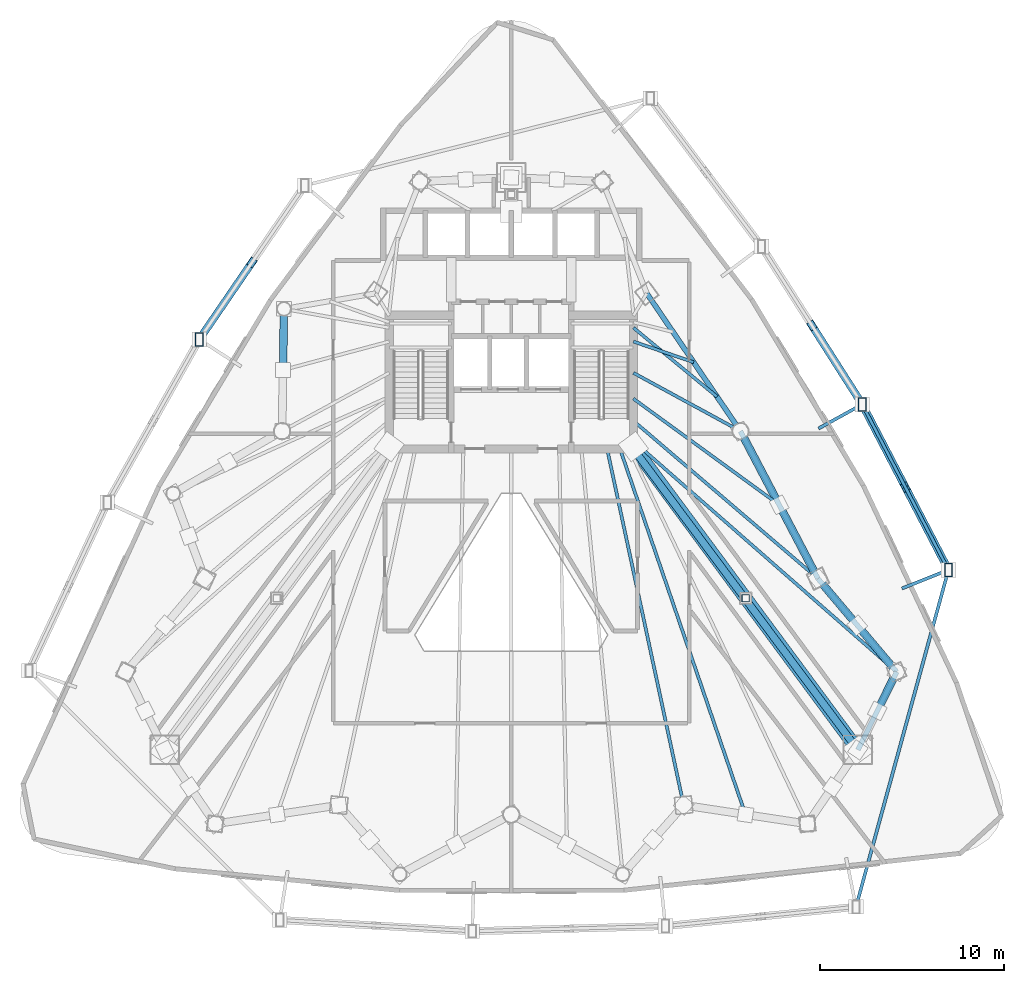
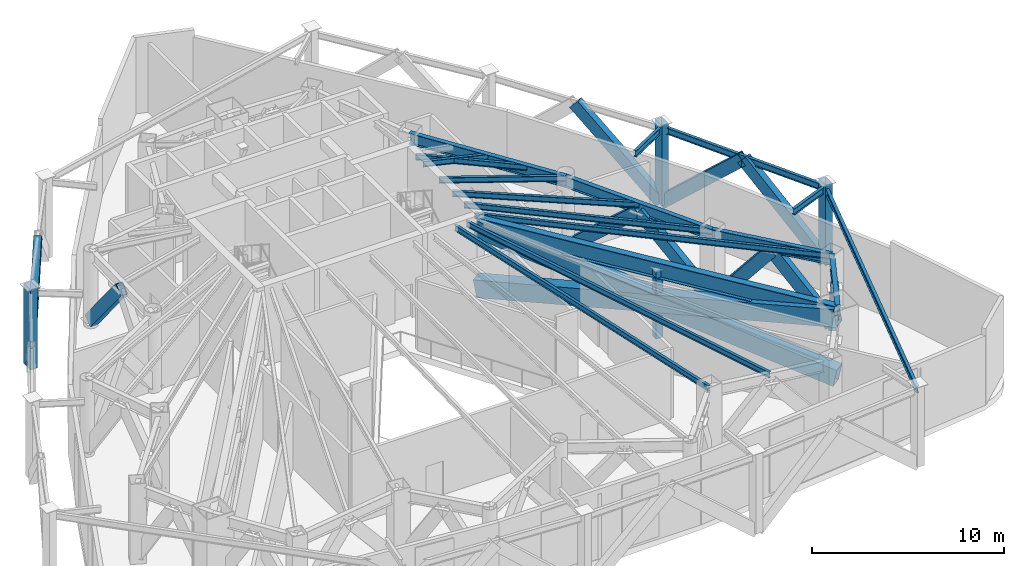
# One storey, part 3 of 10: 17 beams, 16 members.
"""IFC4 building model written with IfcOpenShell, lengths in metres."""

from ifc_helpers import new_model, si_unit, direction, frame, origin, origin_2d, place, context, subcontext, project, spatial, hollow_rectangle, i_section, extrude, material, material_profile, profile_set, type_object, element, save


model = new_model("IFC4")

# Units and contexts
model_context = context("Model", 3, precision=1e-05, world=origin(), true_north=direction((0.0, 1.0)))
body_context = subcontext(model_context, "Body", "Model", "MODEL_VIEW")
ifc_project = project(units=[si_unit("LENGTHUNIT", "METRE"), si_unit("AREAUNIT", "SQUARE_METRE"), si_unit("VOLUMEUNIT", "CUBIC_METRE"), si_unit("PLANEANGLEUNIT", "RADIAN"), si_unit("MASSUNIT", "GRAM", prefix="KILO")], contexts=[model_context])

# Site, building, storey
site_placement = place(None, origin())
site = spatial("IfcSite", under=ifc_project, at=site_placement, CompositionType="ELEMENT")
building_placement = place(site_placement, origin())
building = spatial("IfcBuilding", under=site, at=building_placement, Name="Orvanel Arch Residences", CompositionType="ELEMENT")
storey_placement = place(building_placement, frame((0.0, 0.0, 101.60009765625)))
storey = spatial("IfcBuildingStorey", under=building, at=storey_placement, Name="L28", CompositionType="ELEMENT", Elevation=101.60009765625)

# Beams
ifc_material_1 = material(Name="Structural steel AS/NZS 3678 Grade 350", Category="steel")
ifc_material_profile_1 = material_profile(ifc_material_1, i_section(OverallWidth=0.39990234375, OverallDepth=1.02392578125, WebThickness=0.01611328125, FlangeThickness=0.031982421875, at=origin_2d()), Name="1000WB322")
ifc_profile_set_1 = profile_set([ifc_material_profile_1], Name="Structural steel AS/NZS 3678 Grade 350")
beam_type_1 = type_object("IfcBeamType", Name="BG-1000WB", PredefinedType="BEAM", material=ifc_profile_set_1)
beam_1_placement = place(storey_placement, frame((39.625, 26.675048828125, 4.347900390625), z_axis=(0.597893733742, -0.801575375839, 0.0), x_axis=(0.801575375839, 0.597893733742, 0.0)))
element("IfcBeam", 1, at=beam_1_placement, inside=storey, type_object=beam_type_1, Name="L28 South-East Radial Girder", PredefinedType="BEAM", context=body_context, shape_type="SweptSolid", body=[
    extrude(i_section(OverallWidth=0.39990234375, OverallDepth=1.02392578125, WebThickness=0.01611328125, FlangeThickness=0.031982421875, at=origin_2d()), origin(), (0.0, 0.0, 1.0), 20.36474609375),
])
ifc_material_2 = material(Name="Structural steel AS/NZS 3679.1 Grade 300 (300 MPa)", Category="steel")
ifc_material_profile_2 = material_profile(ifc_material_2, i_section(OverallWidth=0.1708984375, OverallDepth=0.35595703125, WebThickness=0.00732421875, FlangeThickness=0.011474609375, at=origin_2d()), Name="360UB50.7")
ifc_profile_set_2 = profile_set([ifc_material_profile_2], Name="Structural steel AS/NZS 3679.1 Grade 300 (300 MPa)")
beam_type_2 = type_object("IfcBeamType", Name="BJ-360UB", PredefinedType="JOIST", material=ifc_profile_set_2)
beam_2_placement = place(storey_placement, frame((39.625, 30.800048828125, 4.681884765625), z_axis=(0.878399029914, -0.477927969726, 0.0), x_axis=(0.477927969726, 0.878399029914, 0.0)))
element("IfcBeam", 2, at=beam_2_placement, inside=storey, type_object=beam_type_2, Name="L28 NE Wing Floor Joist", PredefinedType="JOIST", context=body_context, shape_type="SweptSolid", body=[
    extrude(i_section(OverallWidth=0.1708984375, OverallDepth=0.35595703125, WebThickness=0.00732421875, FlangeThickness=0.011474609375, at=origin_2d()), origin(), (0.0, 0.0, 1.0), 6.609619140625),
])
beam_3_placement = place(storey_placement, frame((39.625, 28.199951171875, 4.681884765625), z_axis=(0.760024297953, -0.649894658018, 0.0), x_axis=(0.649894658018, 0.760024297953, 0.0)))
element("IfcBeam", 3, at=beam_3_placement, inside=storey, type_object=beam_type_2, Name="L28 E Wing Floor Joist", PredefinedType="JOIST", context=body_context, shape_type="SweptSolid", body=[
    extrude(i_section(OverallWidth=0.1708984375, OverallDepth=0.35595703125, WebThickness=0.00732421875, FlangeThickness=0.011474609375, at=origin_2d()), origin(), (0.0, 0.0, 1.0), 13.16796875),
])
beam_4_placement = place(storey_placement, frame((38.199951171875, 26.675048828125, 4.681884765625), z_axis=(0.210066515515, -0.977687096703, 0.0), x_axis=(0.977687096703, 0.210066515515, 0.0)))
element("IfcBeam", 4, at=beam_4_placement, inside=storey, type_object=beam_type_2, Name="L28 SE Wing Floor Joist", PredefinedType="JOIST", context=body_context, shape_type="SweptSolid", body=[
    extrude(i_section(OverallWidth=0.1708984375, OverallDepth=0.35595703125, WebThickness=0.00732421875, FlangeThickness=0.011474609375, at=origin_2d()), origin(), (0.0, 0.0, 1.0), 19.760986328125),
])
beam_5_placement = place(storey_placement, frame((39.625, 32.5, 4.681884765625), z_axis=(0.945658073701, -0.325162740247, 0.0), x_axis=(0.325162740247, 0.945658073701, 0.0)))
element("IfcBeam", 5, at=beam_5_placement, inside=storey, type_object=beam_type_2, Name="L28 ENE Wing Floor Joist", PredefinedType="JOIST", context=body_context, shape_type="SweptSolid", body=[
    extrude(i_section(OverallWidth=0.1708984375, OverallDepth=0.35595703125, WebThickness=0.00732421875, FlangeThickness=0.011474609375, at=origin_2d()), origin(), (0.0, 0.0, 1.0), 3.453857421875),
])
beam_6_placement = place(storey_placement, frame((39.625, 27.10009765625, 4.681884765625), z_axis=(0.751924114057, -0.659249669472, 0.0), x_axis=(0.659249669472, 0.751924114057, 0.0)))
element("IfcBeam", 6, at=beam_6_placement, inside=storey, type_object=beam_type_2, Name="L28 ME Wing Floor Joist", PredefinedType="JOIST", context=body_context, shape_type="SweptSolid", body=[
    extrude(i_section(OverallWidth=0.1708984375, OverallDepth=0.35595703125, WebThickness=0.00732421875, FlangeThickness=0.011474609375, at=origin_2d()), origin(), (0.0, 0.0, 1.0), 18.9912109375),
])
beam_7_placement = place(storey_placement, frame((39.625, 33.25, 4.681884765625), z_axis=(0.771468562814, -0.636267441089, 0.0), x_axis=(0.636267441089, 0.771468562814, 0.0)))
element("IfcBeam", 7, at=beam_7_placement, inside=storey, type_object=beam_type_2, Name="L28 LE Wing Floor Joist", PredefinedType="JOIST", context=body_context, shape_type="SweptSolid", body=[
    extrude(i_section(OverallWidth=0.1708984375, OverallDepth=0.35595703125, WebThickness=0.00732421875, FlangeThickness=0.011474609375, at=origin_2d()), origin(), (0.0, 0.0, 1.0), 5.879638671875),
])
beam_8_placement = place(storey_placement, frame((39.625, 29.39990234375, 4.681884765625), z_axis=(0.808381909511, -0.588658380026, 0.0), x_axis=(0.588658380026, 0.808381909511, 0.0)))
element("IfcBeam", 8, at=beam_8_placement, inside=storey, type_object=beam_type_2, Name="L28 CTE Wing Floor Joist", PredefinedType="JOIST", context=body_context, shape_type="SweptSolid", body=[
    extrude(i_section(OverallWidth=0.1708984375, OverallDepth=0.35595703125, WebThickness=0.00732421875, FlangeThickness=0.011474609375, at=origin_2d()), origin(), (0.0, 0.0, 1.0), 9.78125),
])
beam_9_placement = place(storey_placement, frame((38.89990234375, 26.675048828125, 4.681884765625), z_axis=(0.324621456495, -0.945844019901, 0.0), x_axis=(0.945844019901, 0.324621456495, 0.0)))
element("IfcBeam", 9, at=beam_9_placement, inside=storey, type_object=beam_type_2, Name="L28 JADD2 Wing Floor Joist", PredefinedType="JOIST", context=body_context, shape_type="SweptSolid", body=[
    extrude(i_section(OverallWidth=0.1708984375, OverallDepth=0.35595703125, WebThickness=0.00732421875, FlangeThickness=0.011474609375, at=origin_2d()), origin(), (0.0, 0.0, 1.0), 20.96337890625),
])

# Members
ifc_material_profile_3 = material_profile(ifc_material_1, hollow_rectangle(XDim=0.419921875, YDim=0.719970703125, WallThickness=0.02490234375, at=origin_2d()), Name="RHS720x420x25")
ifc_profile_set_3 = profile_set([ifc_material_profile_3], Name="Structural steel AS/NZS 3678 Grade 350")
member_type_1 = type_object("IfcMemberType", Name="BR-720RHS", PredefinedType="BRACE", material=ifc_profile_set_3)
member_1_placement = place(storey_placement, frame((53.905029296875, 14.580078125, 0.2998046875), z_axis=(-0.226062238647, -0.454275452413, 0.861701617494), x_axis=(0.895273400092, -0.44551715914, 0.0)))
element("IfcMember", 10, at=member_1_placement, inside=storey, type_object=member_type_1, Name="L28 Belt-Truss Chevron 11.2", PredefinedType="BRACE", context=body_context, shape_type="SweptSolid", body=[
    extrude(hollow_rectangle(XDim=0.419921875, YDim=0.719970703125, WallThickness=0.02490234375, at=origin_2d()), origin(), (0.0, 0.0, 1.0), 4.653564453125),
])
for number, where, z_axis, x_axis, name in (
    (11, (53.905029296875, 14.580078125, 0.2998046875), (-0.410701245615, 0.486654453456, 0.771033027686), (-0.764224490659, -0.644950329775, 0.0), "L28 Belt-Truss Chevron 12.1"),
    (12, (49.633056640625, 19.64208984375, 0.2998046875), (0.410701245615, -0.486654453456, 0.771033027686), (0.764224490659, 0.644950329775, 0.0), "L28 Belt-Truss Chevron 12.2"),
):
    element("IfcMember", number, at=place(storey_placement, frame(where, z_axis=z_axis, x_axis=x_axis)), inside=storey, type_object=member_type_1, Name=name, PredefinedType="BRACE", context=body_context, shape_type="SweptSolid", body=[
        extrude(hollow_rectangle(XDim=0.419921875, YDim=0.719970703125, WallThickness=0.02490234375, at=origin_2d()), origin(), (0.0, 0.0, 1.0), 5.200927734375),
    ])
member_2_placement = place(storey_placement, frame((49.633056640625, 19.64208984375, 0.2998046875), z_axis=(-0.347797573101, 0.662132865174, 0.663789813873), x_axis=(-0.885300033521, -0.465020269072, 0.0)))
element("IfcMember", 13, at=member_2_placement, inside=storey, type_object=member_type_1, Name="L28 Belt-Truss Chevron 13.1", PredefinedType="BRACE", context=body_context, shape_type="SweptSolid", body=[
    extrude(hollow_rectangle(XDim=0.419921875, YDim=0.719970703125, WallThickness=0.02490234375, at=origin_2d()), origin(), (0.0, 0.0, 1.0), 6.041015625),
])
member_3_placement = place(storey_placement, frame((45.430908203125, 27.64111328125, 0.2998046875), z_axis=(0.347834801435, -0.662042069196, 0.66386086609), x_axis=(0.885253281653, 0.465109263853, 0.0)))
element("IfcMember", 14, at=member_3_placement, inside=storey, type_object=member_type_1, Name="L28 Belt-Truss Chevron 13.2", PredefinedType="BRACE", context=body_context, shape_type="SweptSolid", body=[
    extrude(hollow_rectangle(XDim=0.419921875, YDim=0.719970703125, WallThickness=0.02490234375, at=origin_2d()), origin(), (0.0, 0.0, 1.0), 6.04052734375),
])
member_4_placement = place(storey_placement, frame((20.669921875, 34.27099609375, 0.2998046875), z_axis=(-0.009572251411, -0.637117792423, 0.770707006963), x_axis=(0.999887154248, -0.015022608592, 0.0)))
element("IfcMember", 15, at=member_4_placement, inside=storey, type_object=member_type_1, Name="L28 Belt-Truss Chevron 20.1", PredefinedType="BRACE", context=body_context, shape_type="SweptSolid", body=[
    extrude(hollow_rectangle(XDim=0.419921875, YDim=0.719970703125, WallThickness=0.02490234375, at=origin_2d()), origin(), (0.0, 0.0, 1.0), 5.203125),
])
ifc_material_profile_4 = material_profile(ifc_material_1, hollow_rectangle(XDim=0.419921875, YDim=0.719970703125, WallThickness=0.02490234375, at=origin_2d()), Name="RHS720x420x25")
ifc_profile_set_4 = profile_set([ifc_material_profile_4], Name="Structural steel AS/NZS 3678 Grade 350")
member_type_2 = type_object("IfcMemberType", Name="BR-720RHS-EXT", PredefinedType="BRACE", material=ifc_profile_set_4)
member_5_placement = place(storey_placement, frame((16.074951171875, 32.612060546875, 0.0), z_axis=(0.415752553037, 0.60710310046, 0.677182132114), x_axis=(-0.82507524097, 0.565022872756, 0.0)))
element("IfcMember", 16, at=member_5_placement, inside=storey, type_object=member_type_2, Name="L28 Exterior Sky-Garden V-Frame Chevron F1B1.2", PredefinedType="BRACE", context=body_context, shape_type="SweptSolid", body=[
    extrude(hollow_rectangle(XDim=0.419921875, YDim=0.719970703125, WallThickness=0.02490234375, at=origin_2d()), origin(), (0.0, 0.0, 1.0), 6.876953125),
])
member_6_placement = place(storey_placement, frame((56.7119140625, 20.114990234375, 0.0), z_axis=(-0.339948699288, 0.65259784242, 0.677163892954), x_axis=(-0.886884021945, -0.461992133719, 0.0)))
element("IfcMember", 17, at=member_6_placement, inside=storey, type_object=member_type_2, Name="L28 Exterior Sky-Garden V-Frame Chevron F3B1.1", PredefinedType="BRACE", context=body_context, shape_type="SweptSolid", body=[
    extrude(hollow_rectangle(XDim=0.419921875, YDim=0.719970703125, WallThickness=0.02490234375, at=origin_2d()), origin(), (0.0, 0.0, 1.0), 6.877197265625),
])
member_7_placement = place(storey_placement, frame((52.037109375, 29.091064453125, 0.0), z_axis=(0.339823100183, -0.652629340856, 0.6771965771), x_axis=(0.886963086022, 0.461840323092, 0.0)))
element("IfcMember", 18, at=member_7_placement, inside=storey, type_object=member_type_2, Name="L28 Exterior Sky-Garden V-Frame Chevron F3B1.2", PredefinedType="BRACE", context=body_context, shape_type="SweptSolid", body=[
    extrude(hollow_rectangle(XDim=0.419921875, YDim=0.719970703125, WallThickness=0.02490234375, at=origin_2d()), origin(), (0.0, 0.0, 1.0), 6.876953125),
])
member_8_placement = place(storey_placement, frame((52.037109375, 29.091064453125, 0.0), z_axis=(-0.396273527394, 0.621358875334, 0.675929315483), x_axis=(-0.843130468754, -0.537709040894, 0.0)))
element("IfcMember", 19, at=member_8_placement, inside=storey, type_object=member_type_2, Name="L28 Exterior Sky-Garden V-Frame Chevron F3B2.1", PredefinedType="BRACE", context=body_context, shape_type="SweptSolid", body=[
    extrude(hollow_rectangle(XDim=0.419921875, YDim=0.719970703125, WallThickness=0.02490234375, at=origin_2d()), origin(), (0.0, 0.0, 1.0), 6.8896484375),
])
ifc_material_profile_5 = material_profile(ifc_material_1, hollow_rectangle(XDim=0.419921875, YDim=0.719970703125, WallThickness=0.02490234375, at=origin_2d()), Name="RHS720x420x25")
ifc_profile_set_5 = profile_set([ifc_material_profile_5], Name="Structural steel AS/NZS 3678 Grade 350")
member_type_3 = type_object("IfcMemberType", Name="CH-720RHS-EXT", PredefinedType="CHORD", material=ifc_profile_set_5)
for number, where, z_axis, x_axis, name in (
    (20, (16.074951171875, 32.612060546875, 0.0), (0.0, 0.0, 1.0), (1.0, 0.0, 0.0), "L28 Outer Perimeter Frame Post 02"),
    (21, (56.7119140625, 20.114990234375, 0.0), (0.0, 0.0, 1.0), (1.0, 0.0, 0.0), "L28 Outer Perimeter Frame Post 09"),
    (22, (52.037109375, 29.091064453125, 0.0), (0.0, 0.0, 1.0), (1.0, 0.0, 0.0), "L28 Outer Perimeter Frame Post 10"),
):
    element("IfcMember", number, at=place(storey_placement, frame(where, z_axis=z_axis, x_axis=x_axis)), inside=storey, type_object=member_type_3, Name=name, PredefinedType="CHORD", context=body_context, shape_type="SweptSolid", body=[
        extrude(hollow_rectangle(XDim=0.419921875, YDim=0.719970703125, WallThickness=0.02490234375, at=origin_2d()), origin(), (0.0, 0.0, 1.0), 5.099853515625),
    ])

# Beams
ifc_material_profile_6 = material_profile(ifc_material_2, i_section(OverallWidth=0.177978515625, OverallDepth=0.406005859375, WebThickness=0.0078125, FlangeThickness=0.0126953125, at=origin_2d()), Name="410UB59.7")
ifc_profile_set_6 = profile_set([ifc_material_profile_6], Name="Structural steel AS/NZS 3679.1 Grade 300 (300 MPa)")
beam_type_3 = type_object("IfcBeamType", Name="OB-410UB-EXT", PredefinedType="SPANDREL", material=ifc_profile_set_6)
beam_10_placement = place(storey_placement, frame((51.698974609375, 1.839111328125, 4.656982421875), z_axis=(0.264522242274, 0.964379584677, 0.0), x_axis=(-0.964379584677, 0.264522242274, 0.0)))
element("IfcBeam", 23, at=beam_10_placement, inside=storey, type_object=beam_type_3, Name="L28 Outer Perimeter Floor Ring Beam 08", PredefinedType="SPANDREL", context=body_context, shape_type="SweptSolid", body=[
    extrude(i_section(OverallWidth=0.177978515625, OverallDepth=0.406005859375, WebThickness=0.0078125, FlangeThickness=0.0126953125, at=origin_2d()), origin(), (0.0, 0.0, 1.0), 18.950927734375),
])
beam_11_placement = place(storey_placement, frame((54.18701171875, 19.10595703125, 4.656982421875), z_axis=(0.928594298398, 0.37109652246, 0.0), x_axis=(-0.37109652246, 0.928594298398, 0.0)))
element("IfcBeam", 24, at=beam_11_placement, inside=storey, type_object=beam_type_3, Name="L28 Outer Frame Radial Tie Beam 09", PredefinedType="SPANDREL", context=body_context, shape_type="SweptSolid", body=[
    extrude(i_section(OverallWidth=0.177978515625, OverallDepth=0.406005859375, WebThickness=0.0078125, FlangeThickness=0.0126953125, at=origin_2d()), origin(), (0.0, 0.0, 1.0), 2.718994140625),
])
beam_12_placement = place(storey_placement, frame((56.7119140625, 20.114990234375, 4.656982421875), z_axis=(-0.46191623348, 0.88692355547, 0.0), x_axis=(-0.88692355547, -0.46191623348, 0.0)))
element("IfcBeam", 25, at=beam_12_placement, inside=storey, type_object=beam_type_3, Name="L28 Outer Perimeter Floor Ring Beam 09", PredefinedType="SPANDREL", context=body_context, shape_type="SweptSolid", body=[
    extrude(i_section(OverallWidth=0.177978515625, OverallDepth=0.406005859375, WebThickness=0.0078125, FlangeThickness=0.0126953125, at=origin_2d()), origin(), (0.0, 0.0, 1.0), 10.120361328125),
])
beam_13_placement = place(storey_placement, frame((49.666015625, 27.782958984375, 4.656982421875), z_axis=(0.875590833101, 0.483053509448, 0.0), x_axis=(-0.483053509448, 0.875590833101, 0.0)))
element("IfcBeam", 26, at=beam_13_placement, inside=storey, type_object=beam_type_3, Name="L28 Outer Frame Radial Tie Beam 10", PredefinedType="SPANDREL", context=body_context, shape_type="SweptSolid", body=[
    extrude(i_section(OverallWidth=0.177978515625, OverallDepth=0.406005859375, WebThickness=0.0078125, FlangeThickness=0.0126953125, at=origin_2d()), origin(), (0.0, 0.0, 1.0), 2.7080078125),
])

# Members
ifc_material_profile_7 = material_profile(ifc_material_1, hollow_rectangle(XDim=0.719970703125, YDim=1.10009765625, WallThickness=0.035888671875, at=origin_2d()), Name="BOX1100x720x36")
ifc_profile_set_7 = profile_set([ifc_material_profile_7], Name="Structural steel AS/NZS 3678 Grade 350")
member_type_4 = type_object("IfcMemberType", Name="OR-1100BOX", PredefinedType="BRACE", material=ifc_profile_set_7)
for number, where, z_axis, x_axis, name in (
    (27, (39.625, 26.800048828125, 0.39990234375), (0.584912228847, -0.790176276112, 0.183027695213), (0.803753474747, 0.594962479348, 0.0), "L28 Core Outrigger Brace 3-1"),
    (28, (39.625, 26.800048828125, 4.2099609375), (0.584912228847, -0.790176276112, -0.183027695213), (0.803753474747, 0.594962479348, 0.0), "L28 Core Outrigger Brace 3-2"),
):
    element("IfcMember", number, at=place(storey_placement, frame(where, z_axis=z_axis, x_axis=x_axis)), inside=storey, type_object=member_type_4, Name=name, PredefinedType="BRACE", context=body_context, shape_type="SweptSolid", body=[
        extrude(hollow_rectangle(XDim=0.719970703125, YDim=1.10009765625, WallThickness=0.035888671875, at=origin_2d()), origin(), (0.0, 0.0, 1.0), 20.81689453125),
    ])

# Beams
ifc_material_profile_8 = material_profile(ifc_material_1, i_section(OverallWidth=0.27490234375, OverallDepth=0.699951171875, WebThickness=0.011962890625, FlangeThickness=0.02001953125, at=origin_2d()), Name="700WB150")
ifc_profile_set_8 = profile_set([ifc_material_profile_8], Name="Structural steel AS/NZS 3678 Grade 350")
beam_type_4 = type_object("IfcBeamType", Name="SP-700WB", PredefinedType="SPANDREL", material=ifc_profile_set_8)
beam_14_placement = place(storey_placement, frame((51.801025390625, 10.35107421875, 4.510009765625), z_axis=(0.44543469453, 0.895314432425, 0.0), x_axis=(-0.895314432425, 0.44543469453, 0.0)))
element("IfcBeam", 29, at=beam_14_placement, inside=storey, type_object=beam_type_4, Name="L28 Perimeter Spandrel Beam 11", PredefinedType="SPANDREL", context=body_context, shape_type="SweptSolid", body=[
    extrude(i_section(OverallWidth=0.27490234375, OverallDepth=0.699951171875, WebThickness=0.011962890625, FlangeThickness=0.02001953125, at=origin_2d()), origin(), (0.0, 0.0, 1.0), 4.723388671875),
])
beam_15_placement = place(storey_placement, frame((53.905029296875, 14.580078125, 4.510009765625), z_axis=(-0.644950329775, 0.764224490659, 0.0), x_axis=(-0.764224490659, -0.644950329775, 0.0)))
element("IfcBeam", 30, at=beam_15_placement, inside=storey, type_object=beam_type_4, Name="L28 Perimeter Spandrel Beam 12", PredefinedType="SPANDREL", context=body_context, shape_type="SweptSolid", body=[
    extrude(i_section(OverallWidth=0.27490234375, OverallDepth=0.699951171875, WebThickness=0.011962890625, FlangeThickness=0.02001953125, at=origin_2d()), origin(), (0.0, 0.0, 1.0), 6.623779296875),
])
beam_16_placement = place(storey_placement, frame((49.633056640625, 19.64208984375, 4.510009765625), z_axis=(-0.465064762793, 0.885276660942, 0.0), x_axis=(-0.885276660942, -0.465064762793, 0.0)))
element("IfcBeam", 31, at=beam_16_placement, inside=storey, type_object=beam_type_4, Name="L28 Perimeter Spandrel Beam 13", PredefinedType="SPANDREL", context=body_context, shape_type="SweptSolid", body=[
    extrude(i_section(OverallWidth=0.27490234375, OverallDepth=0.699951171875, WebThickness=0.011962890625, FlangeThickness=0.02001953125, at=origin_2d()), origin(), (0.0, 0.0, 1.0), 9.03564453125),
])
beam_17_placement = place(storey_placement, frame((45.430908203125, 27.64111328125, 4.510009765625), z_axis=(-0.562154793153, 0.827032035978, 0.0), x_axis=(-0.827032035978, -0.562154793153, 0.0)))
element("IfcBeam", 32, at=beam_17_placement, inside=storey, type_object=beam_type_4, Name="L28 Perimeter Spandrel Beam 14", PredefinedType="SPANDREL", context=body_context, shape_type="SweptSolid", body=[
    extrude(i_section(OverallWidth=0.27490234375, OverallDepth=0.699951171875, WebThickness=0.011962890625, FlangeThickness=0.02001953125, at=origin_2d()), origin(), (0.0, 0.0, 1.0), 9.03466796875),
])

# Member
ifc_material_3 = material(Name="Structural steel AS/NZS 1163 C450L0 (Grade 450)", Category="steel")
ifc_material_profile_9 = material_profile(ifc_material_3, hollow_rectangle(XDim=0.39990234375, YDim=0.39990234375, WallThickness=0.01611328125, at=origin_2d()), Name="SHS400x400x16")
ifc_profile_set_9 = profile_set([ifc_material_profile_9], Name="Structural steel AS/NZS 1163 C450L0 (Grade 450)")
member_type_5 = type_object("IfcMemberType", Name="ST-400SHS", PredefinedType="STRUT", material=ifc_profile_set_9)
member_9_placement = place(storey_placement, frame((45.712890625, 18.575927734375, 0.0), z_axis=(0.0, 0.0, 1.0), x_axis=(1.0, 0.0, 0.0)))
element("IfcMember", 33, at=member_9_placement, inside=storey, type_object=member_type_5, Name="L28 Outrigger Vertical Web Strut 3", PredefinedType="STRUT", context=body_context, shape_type="SweptSolid", body=[
    extrude(hollow_rectangle(XDim=0.39990234375, YDim=0.39990234375, WallThickness=0.01611328125, at=origin_2d()), origin(), (0.0, 0.0, 1.0), 4.35986328125),
])

save(model, "model.ifc")
